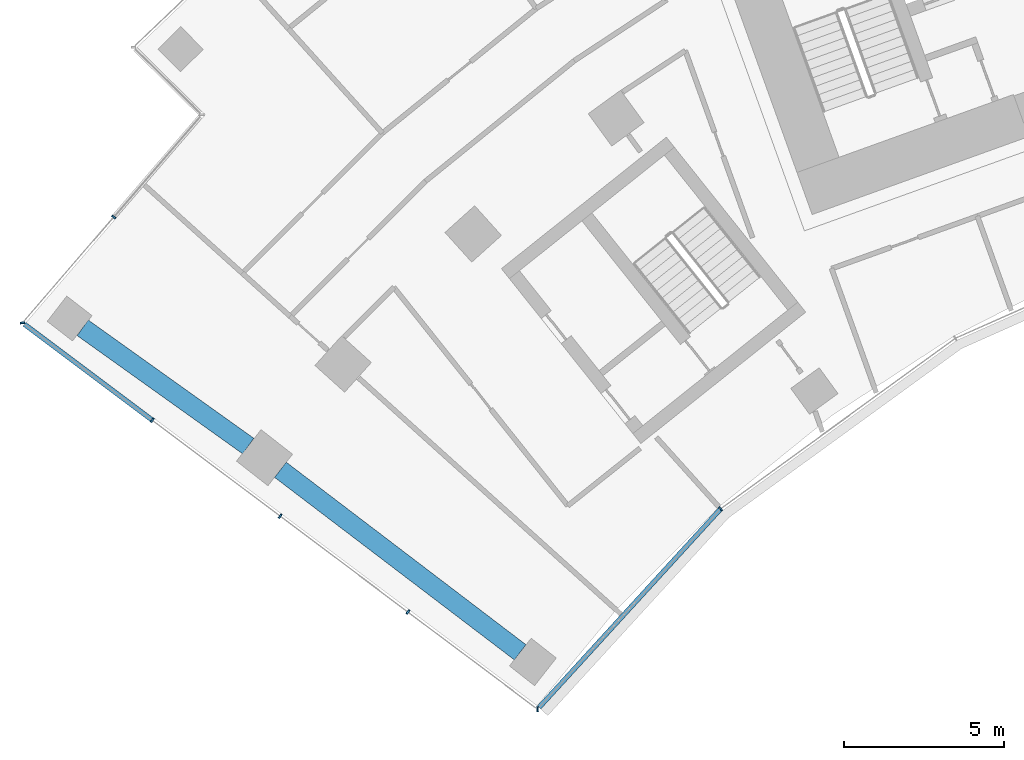
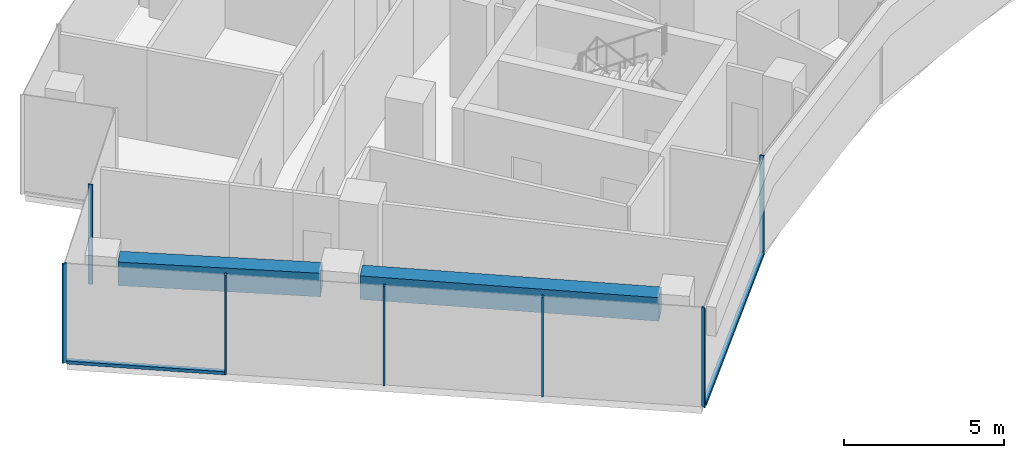
# One storey, part 2 of 20: 9 members, 2 beams, 3 elements without a shape of their own.
"""IFC4 building model written with IfcOpenShell, lengths in metres."""

from ifc_helpers import new_model, si_unit, direction, frame, origin, origin_2d, place, context, subcontext, project, spatial, rectangle, extrude, material, layer, layer_set, material_profile, profile_set, type_object, element, aggregate, save


model = new_model("IFC4")

# Units and contexts
model_context = context("Model", 3, precision=1e-05, world=origin(), true_north=direction((0.0, 1.0)))
body_context = subcontext(model_context, "Body", "Model", "MODEL_VIEW")
ifc_project = project(units=[si_unit("LENGTHUNIT", "METRE"), si_unit("AREAUNIT", "SQUARE_METRE"), si_unit("VOLUMEUNIT", "CUBIC_METRE"), si_unit("PLANEANGLEUNIT", "RADIAN"), si_unit("MASSUNIT", "GRAM", prefix="KILO")], contexts=[model_context])

# Site, building, storey
site_placement = place(None, origin())
site = spatial("IfcSite", under=ifc_project, at=site_placement, CompositionType="ELEMENT")
building_placement = place(site_placement, origin())
building = spatial("IfcBuilding", under=site, at=building_placement, Name="Stone Belt Terrace Tower", CompositionType="ELEMENT")
storey_placement = place(building_placement, frame((0.0, 0.0, 170.60009765625)))
storey = spatial("IfcBuildingStorey", under=building, at=storey_placement, Name="L41", CompositionType="ELEMENT", Elevation=170.60009765625)

# Curtain wall, members
ifc_material_1 = material(Name="Aluminium 6063-T6 anodised frame", Category="aluminium")
ifc_layer_1 = layer(ifc_material_1, 0.14990234375)
ifc_layer_set_1 = layer_set([ifc_layer_1], Name="CW-B unitised concave-face curtain wall")
curtain_wall_type_1 = type_object("IfcCurtainWallType", Name="CW-B unitised concave-face curtain wall", PredefinedType="NOTDEFINED", material=ifc_layer_set_1)
curtain_wall_1_placement = place(storey_placement, origin())
curtain_wall_1 = element("IfcCurtainWall", 1, at=curtain_wall_1_placement, inside=storey, type_object=curtain_wall_type_1, Name="CW-B concave face L41", PredefinedType="NOTDEFINED")
ifc_material_profile_1 = material_profile(ifc_material_1, rectangle(XDim=0.14990234375, YDim=0.050048828125, at=origin_2d()), Name="Aluminium 6063-T6 50x150")
ifc_profile_set_1 = profile_set([ifc_material_profile_1], Name="Aluminium 6063-T6 anodised frame")
member_type_1 = type_object("IfcMemberType", Name="CW-B mullion 50 x 150", PredefinedType="MULLION", material=ifc_profile_set_1)
member_1_placement = place(storey_placement, frame((-34.7900390625, 26.0, 0.0), z_axis=(0.0, 0.0, 1.0), x_axis=(-0.093180581986, 0.995649224949, 0.0)))
member_1 = element("IfcMember", 2, at=member_1_placement, type_object=member_type_1, Name="CW-B mullion 1", PredefinedType="MULLION", context=body_context, shape_type="SweptSolid", body=[
    extrude(rectangle(XDim=0.14990234375, YDim=0.050048828125, at=origin_2d()), origin(), (0.0, 0.0, 1.0), 3.7998046875),
])
member_2_placement = place(storey_placement, frame((-29.056884765625, 32.2705078125, 0.0), z_axis=(0.0, 0.0, 1.0), x_axis=(-0.666300886777, 0.745682994496, 0.0)))
member_2 = element("IfcMember", 3, at=member_2_placement, type_object=member_type_1, Name="CW-B mullion 2", PredefinedType="MULLION", context=body_context, shape_type="SweptSolid", body=[
    extrude(rectangle(XDim=0.14990234375, YDim=0.050048828125, at=origin_2d()), origin(), (0.0, 0.0, 1.0), 3.7998046875),
])
ifc_material_profile_2 = material_profile(ifc_material_1, rectangle(XDim=0.14990234375, YDim=0.1201171875, at=origin_2d()), Name="Aluminium 6063-T6 150x120")
ifc_profile_set_2 = profile_set([ifc_material_profile_2], Name="Aluminium 6063-T6 anodised frame")
member_type_2 = type_object("IfcMemberType", Name="CW-B transom 120 x 150", PredefinedType="USERDEFINED", material=ifc_profile_set_2)
member_3_placement = place(storey_placement, frame((-34.743408203125, 26.05078125, 0.059814453125), z_axis=(0.674757432231, 0.738039570517, 0.0), x_axis=(-0.738039570517, 0.674757432231, 0.0)))
member_3 = element("IfcMember", 4, at=member_3_placement, type_object=member_type_2, Name="CW-B transom 1.1", ObjectType="TRANSOM", PredefinedType="USERDEFINED", context=body_context, shape_type="SweptSolid", body=[
    extrude(rectangle(XDim=0.14990234375, YDim=0.1201171875, at=origin_2d()), origin(), (0.0, 0.0, 1.0), 8.39501953125),
])
aggregate(curtain_wall_1, [member_1, member_2, member_3])

# Curtain wall, member
ifc_layer_2 = layer(ifc_material_1, 0.14990234375)
ifc_layer_set_2 = layer_set([ifc_layer_2], Name="CW-C stick curtain wall, horn ends and notches")
curtain_wall_type_2 = type_object("IfcCurtainWallType", Name="CW-C stick curtain wall, horn ends and notches", PredefinedType="NOTDEFINED", material=ifc_layer_set_2)
curtain_wall_2_placement = place(storey_placement, origin())
curtain_wall_2 = element("IfcCurtainWall", 5, at=curtain_wall_2_placement, inside=storey, type_object=curtain_wall_type_2, Name="CW-C notch face L41", PredefinedType="NOTDEFINED")
ifc_material_profile_3 = material_profile(ifc_material_1, rectangle(XDim=0.14990234375, YDim=0.06005859375, at=origin_2d()), Name="Aluminium 6063-T6 60x150")
ifc_profile_set_3 = profile_set([ifc_material_profile_3], Name="Aluminium 6063-T6 anodised frame")
member_type_3 = type_object("IfcMemberType", Name="CW-C mullion 60 x 150", PredefinedType="MULLION", material=ifc_profile_set_3)
member_4_placement = place(storey_placement, frame((-48.05322265625, 41.40283203125, 0.0), z_axis=(0.0, 0.0, 1.0), x_axis=(0.757583847343, -0.652737860281, 0.0)))
member_4 = element("IfcMember", 6, at=member_4_placement, type_object=member_type_3, Name="CW-C mullion 2", PredefinedType="MULLION", context=body_context, shape_type="SweptSolid", body=[
    extrude(rectangle(XDim=0.14990234375, YDim=0.06005859375, at=origin_2d()), origin(), (0.0, 0.0, 1.0), 3.7998046875),
])
aggregate(curtain_wall_2, [member_4])

# Curtain wall, members
curtain_wall_3_placement = place(storey_placement, origin())
curtain_wall_3 = element("IfcCurtainWall", 7, at=curtain_wall_3_placement, inside=storey, type_object=curtain_wall_type_2, Name="CW-C end face L41", PredefinedType="NOTDEFINED")
member_5_placement = place(storey_placement, frame((-50.908447265625, 38.08935546875, 0.0), z_axis=(0.0, 0.0, 1.0), x_axis=(0.994169356535, 0.107829914807, 0.0)))
member_5 = element("IfcMember", 8, at=member_5_placement, type_object=member_type_3, Name="CW-C mullion 1", PredefinedType="MULLION", context=body_context, shape_type="SweptSolid", body=[
    extrude(rectangle(XDim=0.14990234375, YDim=0.06005859375, at=origin_2d()), origin(), (0.0, 0.0, 1.0), 3.7998046875),
])
member_6_placement = place(storey_placement, frame((-46.84423828125, 35.041015625, 0.0), z_axis=(0.0, 0.0, 1.0), x_axis=(0.600017992436, 0.799986505357, 0.0)))
member_6 = element("IfcMember", 9, at=member_6_placement, type_object=member_type_3, Name="CW-C mullion 2", PredefinedType="MULLION", context=body_context, shape_type="SweptSolid", body=[
    extrude(rectangle(XDim=0.14990234375, YDim=0.06005859375, at=origin_2d()), origin(), (0.0, 0.0, 1.0), 3.7998046875),
])
member_7_placement = place(storey_placement, frame((-42.84423828125, 32.041015625, 0.0), z_axis=(0.0, 0.0, 1.0), x_axis=(0.600017992436, 0.799986505357, 0.0)))
member_7 = element("IfcMember", 10, at=member_7_placement, type_object=member_type_3, Name="CW-C mullion 3", PredefinedType="MULLION", context=body_context, shape_type="SweptSolid", body=[
    extrude(rectangle(XDim=0.14990234375, YDim=0.06005859375, at=origin_2d()), origin(), (0.0, 0.0, 1.0), 3.7998046875),
])
member_8_placement = place(storey_placement, frame((-38.84423828125, 29.040771484375, 0.0), z_axis=(0.0, 0.0, 1.0), x_axis=(0.600017992436, 0.799986505357, 0.0)))
member_8 = element("IfcMember", 11, at=member_8_placement, type_object=member_type_3, Name="CW-C mullion 4", PredefinedType="MULLION", context=body_context, shape_type="SweptSolid", body=[
    extrude(rectangle(XDim=0.14990234375, YDim=0.06005859375, at=origin_2d()), origin(), (0.0, 0.0, 1.0), 3.7998046875),
])
ifc_material_profile_4 = material_profile(ifc_material_1, rectangle(XDim=0.14990234375, YDim=0.1201171875, at=origin_2d()), Name="Aluminium 6063-T6 150x120")
ifc_profile_set_4 = profile_set([ifc_material_profile_4], Name="Aluminium 6063-T6 anodised frame")
member_type_4 = type_object("IfcMemberType", Name="CW-C transom 120 x 150", PredefinedType="USERDEFINED", material=ifc_profile_set_4)
member_9_placement = place(storey_placement, frame((-50.84814453125, 38.044189453125, 0.059814453125), z_axis=(0.799988222323, -0.600015703248, 0.0), x_axis=(0.600015703248, 0.799988222323, 0.0)))
member_9 = element("IfcMember", 12, at=member_9_placement, type_object=member_type_4, Name="CW-C transom 1.1", ObjectType="TRANSOM", PredefinedType="USERDEFINED", context=body_context, shape_type="SweptSolid", body=[
    extrude(rectangle(XDim=0.14990234375, YDim=0.1201171875, at=origin_2d()), origin(), (0.0, 0.0, 1.0), 4.97509765625),
])
aggregate(curtain_wall_3, [member_5, member_6, member_7, member_8, member_9])

# Beams
ifc_material_2 = material(Name="Concrete B60", Category="concrete")
ifc_material_profile_5 = material_profile(ifc_material_2, rectangle(XDim=0.60009765625, YDim=0.89990234375, at=origin_2d()), Name="RC 600x900")
ifc_profile_set_5 = profile_set([ifc_material_profile_5], Name="Concrete B60")
beam_type = type_object("IfcBeamType", Name="Edge beam RC 600x900 B60", PredefinedType="SPANDREL", material=ifc_profile_set_5)
beam_1_placement = place(storey_placement, frame((-35.33203125, 27.779541015625, 3.02978515625), z_axis=(-0.795702028976, 0.605688270552, 0.0), x_axis=(-0.605688270552, -0.795702028976, 0.0)))
element("IfcBeam", 13, at=beam_1_placement, inside=storey, type_object=beam_type, Name="Edge beam L41 A P to Q", PredefinedType="SPANDREL", context=body_context, shape_type="SweptSolid", body=[
    extrude(rectangle(XDim=0.60009765625, YDim=0.89990234375, at=origin_2d()), origin(), (0.0, 0.0, 1.0), 9.430908203125),
])
beam_2_placement = place(storey_placement, frame((-43.842529296875, 34.23388671875, 3.02978515625), z_axis=(-0.813774908454, 0.581180177201, 0.0), x_axis=(-0.581180177201, -0.813774908454, 0.0)))
element("IfcBeam", 14, at=beam_2_placement, inside=storey, type_object=beam_type, Name="Edge beam L41 A Q to R", PredefinedType="SPANDREL", context=body_context, shape_type="SweptSolid", body=[
    extrude(rectangle(XDim=0.60009765625, YDim=0.89990234375, at=origin_2d()), origin(), (0.0, 0.0, 1.0), 6.369140625),
])

save(model, "model.ifc")
